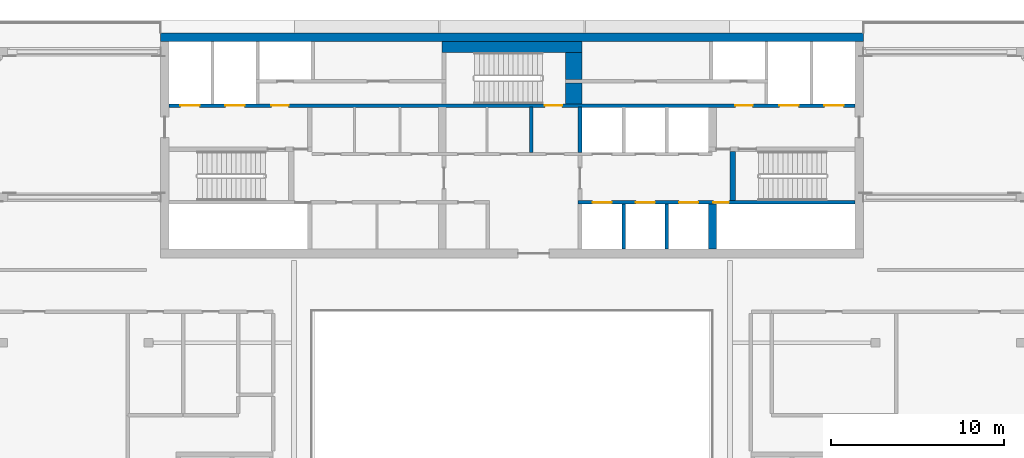
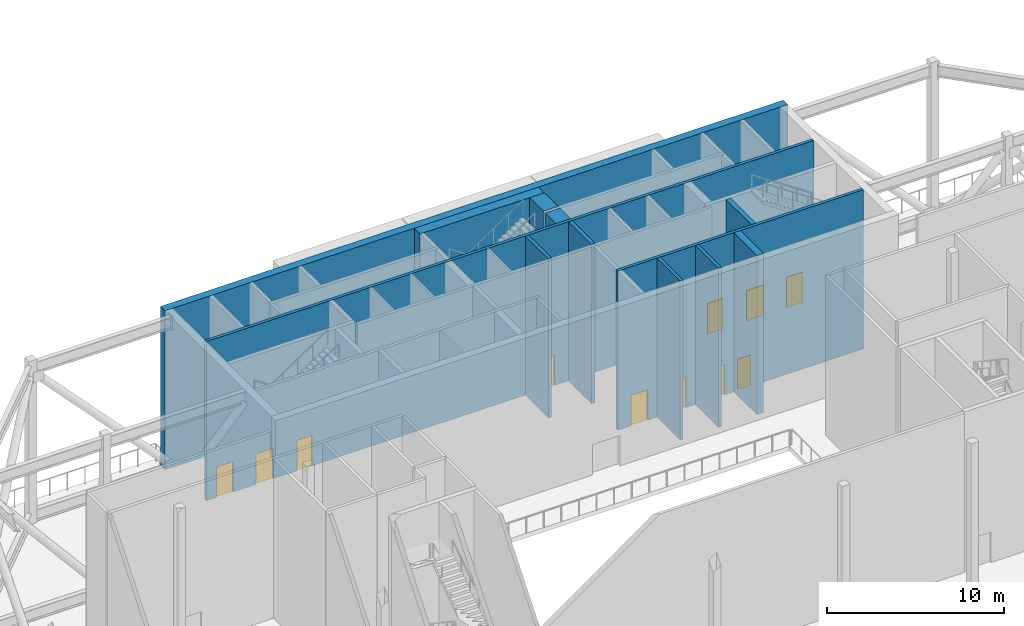
# One storey, part 6 of 20: 12 walls, 11 doors, 11 openings.
"""IFC4 building model written with IfcOpenShell, lengths in metres."""

from ifc_helpers import new_model, si_unit, direction, frame, frame_2d, origin, place, context, subcontext, project, spatial, rectangle, extrude, material, layer, layer_set, type_object, element, fill, save


model = new_model("IFC4")

# Units and contexts
model_context = context("Model", 3, precision=1e-05, world=origin(), true_north=direction((0.0, 1.0)))
body_context = subcontext(model_context, "Body", "Model", "MODEL_VIEW")
ifc_project = project(units=[si_unit("LENGTHUNIT", "METRE"), si_unit("AREAUNIT", "SQUARE_METRE"), si_unit("VOLUMEUNIT", "CUBIC_METRE"), si_unit("PLANEANGLEUNIT", "RADIAN"), si_unit("MASSUNIT", "GRAM", prefix="KILO")], contexts=[model_context])

# Site, building, storey
site_placement = place(None, origin())
site = spatial("IfcSite", under=ifc_project, at=site_placement, CompositionType="ELEMENT")
building_placement = place(site_placement, origin())
building = spatial("IfcBuilding", under=site, at=building_placement, Name="Saffron Gate Tower", CompositionType="ELEMENT")
storey_placement = place(building_placement, frame((0.0, 0.0, 252.300048828125)))
storey = spatial("IfcBuildingStorey", under=building, at=storey_placement, Name="L62", CompositionType="ELEMENT", Elevation=252.300048828125)

# Walls
ifc_material_1 = material(Name="Gypsum board partition on steel studs", Category="steel")
ifc_layer_1 = layer(ifc_material_1, 0.199951171875)
ifc_layer_set_1 = layer_set([ifc_layer_1], Name="CW10 Core partition 200")
wall_type_1 = type_object("IfcWallType", Name="CW10 Core partition 200", PredefinedType="PARTITIONING", material=ifc_layer_set_1)
wall_1_placement = place(storey_placement, frame((88.699951171875, 68.0, 0.0), z_axis=(0.0, 0.0, 1.0), x_axis=(0.0, 1.0, 0.0)))
element("IfcWall", 1, at=wall_1_placement, inside=storey, type_object=wall_type_1, Name="Wall CW10-L62-24", PredefinedType="PARTITIONING", context=body_context, shape_type="SweptSolid", body=[
    extrude(rectangle(XDim=2.60009765625, YDim=0.199951171875, at=frame_2d((1.300048828125, 0.0))), origin(), (0.0, 0.0, 1.0), 10.969970703125),
])
ifc_material_2 = material(Name="Concrete C50", Category="concrete")
ifc_layer_2 = layer(ifc_material_2, 0.5)
ifc_layer_set_2 = layer_set([ifc_layer_2], Name="CW22 RC core wall 500 C50")
wall_type_2 = type_object("IfcWallType", Name="CW22 RC core wall 500 C50", PredefinedType="SOLIDWALL", material=ifc_layer_set_2)
wall_2_placement = place(storey_placement, frame((67.300048828125, 74.64990234375, 0.0), z_axis=(0.0, 0.0, 1.0), x_axis=(1.0, 0.0, 0.0)))
element("IfcWall", 2, at=wall_2_placement, inside=storey, type_object=wall_type_2, Name="Wall CW22-L62-2", PredefinedType="SOLIDWALL", context=body_context, shape_type="SweptSolid", body=[
    extrude(rectangle(XDim=40.599853515625, YDim=0.5, at=frame_2d((20.2998046875, 0.0))), origin(), (0.0, 0.0, 1.0), 10.969970703125),
])
ifc_layer_3 = layer(ifc_material_2, 0.25)
ifc_layer_set_3 = layer_set([ifc_layer_3], Name="CW23 RC core wall 250 C50")
wall_type_3 = type_object("IfcWallType", Name="CW23 RC core wall 250 C50", PredefinedType="SOLIDWALL", material=ifc_layer_set_3)
wall_3_placement = place(storey_placement, frame((91.52490234375, 68.0, 0.0), z_axis=(0.0, 0.0, 1.0), x_axis=(0.0, 1.0, 0.0)))
element("IfcWall", 3, at=wall_3_placement, inside=storey, type_object=wall_type_3, Name="Wall CW23-L62-25", PredefinedType="SOLIDWALL", context=body_context, shape_type="SweptSolid", body=[
    extrude(rectangle(XDim=2.60009765625, YDim=0.25, at=frame_2d((1.300048828125, 0.0))), origin(), (0.0, 0.0, 1.0), 10.969970703125),
])
ifc_layer_4 = layer(ifc_material_2, 0.449951171875)
ifc_layer_set_4 = layer_set([ifc_layer_4], Name="CW24 RC core wall 450 C50")
wall_type_4 = type_object("IfcWallType", Name="CW24 RC core wall 450 C50", PredefinedType="SOLIDWALL", material=ifc_layer_set_4)
wall_4_placement = place(storey_placement, frame((99.175048828125, 62.39990234375, 0.0), z_axis=(0.0, 0.0, 1.0), x_axis=(0.0, 1.0, 0.0)))
element("IfcWall", 4, at=wall_4_placement, inside=storey, type_object=wall_type_4, Name="Wall CW24-L62-12", PredefinedType="SOLIDWALL", context=body_context, shape_type="SweptSolid", body=[
    extrude(rectangle(XDim=2.60009765625, YDim=0.449951171875, at=frame_2d((1.300048828125, 0.0))), origin(), (0.0, 0.0, 1.0), 10.969970703125),
])
ifc_layer_5 = layer(ifc_material_2, 0.199951171875)
ifc_layer_set_5 = layer_set([ifc_layer_5], Name="CW25 RC core wall 200 C50")
wall_type_5 = type_object("IfcWallType", Name="CW25 RC core wall 200 C50", PredefinedType="SOLIDWALL", material=ifc_layer_set_5)
for number, where, z_axis, x_axis, name in (
    (5, (94.050048828125, 62.39990234375, 0.0), (0.0, 0.0, 1.0), (0.0, 1.0, 0.0), "Wall CW25-L62-10"),
    (6, (96.550048828125, 62.39990234375, 0.0), (0.0, 0.0, 1.0), (0.0, 1.0, 0.0), "Wall CW25-L62-11"),
):
    element("IfcWall", number, at=place(storey_placement, frame(where, z_axis=z_axis, x_axis=x_axis)), inside=storey, type_object=wall_type_5, Name=name, PredefinedType="SOLIDWALL", context=body_context, shape_type="SweptSolid", body=[
        extrude(rectangle(XDim=2.60009765625, YDim=0.199951171875, at=frame_2d((1.300048828125, 0.0))), origin(), (0.0, 0.0, 1.0), 10.969970703125),
    ])

# Wall, openings, doors
wall_5_placement = place(storey_placement, frame((91.39990234375, 65.10009765625, 0.0), z_axis=(0.0, 0.0, 1.0), x_axis=(1.0, 0.0, 0.0)))
wall_5 = element("IfcWall", 7, at=wall_5_placement, inside=storey, type_object=wall_type_5, Name="Wall CW25-L62-14", PredefinedType="SOLIDWALL", context=body_context, shape_type="SweptSolid", body=[
    extrude(rectangle(XDim=16.0, YDim=0.199951171875, at=frame_2d((8.0, 0.0))), origin(), (0.0, 0.0, 1.0), 10.969970703125),
])
opening_1_placement = place(wall_5_placement, frame((0.85009765625, 0.0, 0.0)))
opening_1 = element("IfcOpeningElement", 8, at=opening_1_placement, cuts=wall_5, Name="Opening LD-HR1", PredefinedType="OPENING", context=body_context, shape_type="SweptSolid", body=[
    extrude(rectangle(XDim=1.10009765625, YDim=2.10009765625, at=frame_2d((0.550048828125, 1.050048828125))), frame((0.0, 0.10986328125, 0.0), z_axis=(0.0, -1.0, 0.0), x_axis=(1.0, 0.0, 0.0)), (0.0, 0.0, 1.0), 0.219970703125),
])
opening_2_placement = place(wall_5_placement, frame((3.35009765625, 0.0, 0.0)))
opening_2 = element("IfcOpeningElement", 9, at=opening_2_placement, cuts=wall_5, Name="Opening LD-HR2", PredefinedType="OPENING", context=body_context, shape_type="SweptSolid", body=[
    extrude(rectangle(XDim=1.10009765625, YDim=2.10009765625, at=frame_2d((0.550048828125, 1.050048828125))), frame((0.0, 0.10986328125, 0.0), z_axis=(0.0, -1.0, 0.0), x_axis=(1.0, 0.0, 0.0)), (0.0, 0.0, 1.0), 0.219970703125),
])
opening_3_placement = place(wall_5_placement, frame((5.85009765625, 0.0, 0.0)))
opening_3 = element("IfcOpeningElement", 10, at=opening_3_placement, cuts=wall_5, Name="Opening LD-HR3", PredefinedType="OPENING", context=body_context, shape_type="SweptSolid", body=[
    extrude(rectangle(XDim=1.10009765625, YDim=2.10009765625, at=frame_2d((0.550048828125, 1.050048828125))), frame((0.0, 0.10986328125, 0.0), z_axis=(0.0, -1.0, 0.0), x_axis=(1.0, 0.0, 0.0)), (0.0, 0.0, 1.0), 0.219970703125),
])
opening_4_placement = place(wall_5_placement, frame((7.830078125, 0.0, 0.0)))
opening_4 = element("IfcOpeningElement", 11, at=opening_4_placement, cuts=wall_5, Name="Opening CR-48", PredefinedType="OPENING", context=body_context, shape_type="SweptSolid", body=[
    extrude(rectangle(XDim=0.89990234375, YDim=2.10009765625, at=frame_2d((0.449951171875, 1.050048828125))), frame((0.0, 0.10986328125, 0.0), z_axis=(0.0, -1.0, 0.0), x_axis=(1.0, 0.0, 0.0)), (0.0, 0.0, 1.0), 0.219970703125),
])
ifc_material_3 = material(Name="Steel fire door set", Category="steel")
door_type_1 = type_object("IfcDoorType", Name="CD2 Riser door 900x2100 EI 60", OperationType="NOTDEFINED", PredefinedType="DOOR", material=ifc_material_3)
door_1_placement = place(opening_4_placement, origin())
door_1 = element("IfcDoor", 12, at=door_1_placement, inside=storey, type_object=door_type_1, Name="DOOR CR-48", OperationType="SINGLE_SWING_RIGHT", OverallHeight=2.10009765625, OverallWidth=0.89990234375, PredefinedType="DOOR", context=body_context, shape_type="SweptSolid", body=[
    extrude(rectangle(XDim=0.89990234375, YDim=2.10009765625, at=frame_2d((0.449951171875, 1.050048828125))), frame((0.0, 0.02490234375, 0.0), z_axis=(0.0, -1.0, 0.0), x_axis=(1.0, 0.0, 0.0)), (0.0, 0.0, 1.0), 0.050048828125),
])
fill(opening_4, door_1)
ifc_material_4 = material(Name="Stainless steel landing door", Category="steel")
door_type_2 = type_object("IfcDoorType", Name="LD Lift landing door 1100x2100 EI 120", OperationType="SLIDING_TO_LEFT", PredefinedType="DOOR", material=ifc_material_4)
door_2_placement = place(opening_1_placement, origin())
door_2 = element("IfcDoor", 13, at=door_2_placement, inside=storey, type_object=door_type_2, Name="LANDING DOOR LD-HR1", OperationType="SLIDING_TO_LEFT", OverallHeight=2.10009765625, OverallWidth=1.10009765625, PredefinedType="DOOR", context=body_context, shape_type="SweptSolid", body=[
    extrude(rectangle(XDim=1.10009765625, YDim=2.10009765625, at=frame_2d((0.550048828125, 1.050048828125))), frame((0.0, 0.02490234375, 0.0), z_axis=(0.0, -1.0, 0.0), x_axis=(1.0, 0.0, 0.0)), (0.0, 0.0, 1.0), 0.050048828125),
])
fill(opening_1, door_2)
door_3_placement = place(opening_2_placement, origin())
door_3 = element("IfcDoor", 14, at=door_3_placement, inside=storey, type_object=door_type_2, Name="LANDING DOOR LD-HR2", OperationType="SLIDING_TO_LEFT", OverallHeight=2.10009765625, OverallWidth=1.10009765625, PredefinedType="DOOR", context=body_context, shape_type="SweptSolid", body=[
    extrude(rectangle(XDim=1.10009765625, YDim=2.10009765625, at=frame_2d((0.550048828125, 1.050048828125))), frame((0.0, 0.02490234375, 0.0), z_axis=(0.0, -1.0, 0.0), x_axis=(1.0, 0.0, 0.0)), (0.0, 0.0, 1.0), 0.050048828125),
])
fill(opening_2, door_3)
door_4_placement = place(opening_3_placement, origin())
door_4 = element("IfcDoor", 15, at=door_4_placement, inside=storey, type_object=door_type_2, Name="LANDING DOOR LD-HR3", OperationType="SLIDING_TO_LEFT", OverallHeight=2.10009765625, OverallWidth=1.10009765625, PredefinedType="DOOR", context=body_context, shape_type="SweptSolid", body=[
    extrude(rectangle(XDim=1.10009765625, YDim=2.10009765625, at=frame_2d((0.550048828125, 1.050048828125))), frame((0.0, 0.02490234375, 0.0), z_axis=(0.0, -1.0, 0.0), x_axis=(1.0, 0.0, 0.0)), (0.0, 0.0, 1.0), 0.050048828125),
])
fill(opening_3, door_4)

wall_6_placement = place(storey_placement, frame((67.800048828125, 70.699951171875, 0.0), z_axis=(0.0, 0.0, 1.0), x_axis=(1.0, 0.0, 0.0)))
wall_6 = element("IfcWall", 16, at=wall_6_placement, inside=storey, type_object=wall_type_5, Name="Wall CW25-L62-33", PredefinedType="SOLIDWALL", context=body_context, shape_type="SweptSolid", body=[
    extrude(rectangle(XDim=39.599853515625, YDim=0.199951171875, at=frame_2d((19.7998046875, 0.0))), origin(), (0.0, 0.0, 1.0), 10.969970703125),
])
opening_5_placement = place(wall_6_placement, frame((0.64990234375, 0.0, 0.0)))
opening_5 = element("IfcOpeningElement", 17, at=opening_5_placement, cuts=wall_6, Name="Opening LD-FF1", PredefinedType="OPENING", context=body_context, shape_type="SweptSolid", body=[
    extrude(rectangle(XDim=1.10009765625, YDim=2.10009765625, at=frame_2d((0.550048828125, 1.050048828125))), frame((0.0, 0.10986328125, 0.0), z_axis=(0.0, -1.0, 0.0), x_axis=(1.0, 0.0, 0.0)), (0.0, 0.0, 1.0), 0.219970703125),
])
opening_6_placement = place(wall_6_placement, frame((3.25, 0.0, 0.0)))
opening_6 = element("IfcOpeningElement", 18, at=opening_6_placement, cuts=wall_6, Name="Opening LD-SV1", PredefinedType="OPENING", context=body_context, shape_type="SweptSolid", body=[
    extrude(rectangle(XDim=1.10009765625, YDim=2.10009765625, at=frame_2d((0.550048828125, 1.050048828125))), frame((0.0, 0.10986328125, 0.0), z_axis=(0.0, -1.0, 0.0), x_axis=(1.0, 0.0, 0.0)), (0.0, 0.0, 1.0), 0.219970703125),
])
opening_7_placement = place(wall_6_placement, frame((5.89990234375, 0.0, 0.0)))
opening_7 = element("IfcOpeningElement", 19, at=opening_7_placement, cuts=wall_6, Name="Opening CR-03", PredefinedType="OPENING", context=body_context, shape_type="SweptSolid", body=[
    extrude(rectangle(XDim=1.0, YDim=2.10009765625, at=frame_2d((0.5, 1.050048828125))), frame((0.0, 0.10986328125, 0.0), z_axis=(0.0, -1.0, 0.0), x_axis=(1.0, 0.0, 0.0)), (0.0, 0.0, 1.0), 0.219970703125),
])
opening_8_placement = place(wall_6_placement, frame((21.699951171875, 0.0, 0.0)))
opening_8 = element("IfcOpeningElement", 20, at=opening_8_placement, cuts=wall_6, Name="Opening CR-17", PredefinedType="OPENING", context=body_context, shape_type="SweptSolid", body=[
    extrude(rectangle(XDim=1.0, YDim=2.10009765625, at=frame_2d((0.5, 1.050048828125))), frame((0.0, 0.10986328125, 0.0), z_axis=(0.0, -1.0, 0.0), x_axis=(1.0, 0.0, 0.0)), (0.0, 0.0, 1.0), 0.219970703125),
])
opening_9_placement = place(wall_6_placement, frame((32.699951171875, 0.0, 0.0)))
opening_9 = element("IfcOpeningElement", 21, at=opening_9_placement, cuts=wall_6, Name="Opening CR-04", PredefinedType="OPENING", context=body_context, shape_type="SweptSolid", body=[
    extrude(rectangle(XDim=1.0, YDim=2.10009765625, at=frame_2d((0.5, 1.050048828125))), frame((0.0, 0.10986328125, 0.0), z_axis=(0.0, -1.0, 0.0), x_axis=(1.0, 0.0, 0.0)), (0.0, 0.0, 1.0), 0.219970703125),
])
opening_10_placement = place(wall_6_placement, frame((35.25, 0.0, 0.0)))
opening_10 = element("IfcOpeningElement", 22, at=opening_10_placement, cuts=wall_6, Name="Opening LD-SV2", PredefinedType="OPENING", context=body_context, shape_type="SweptSolid", body=[
    extrude(rectangle(XDim=1.10009765625, YDim=2.10009765625, at=frame_2d((0.550048828125, 1.050048828125))), frame((0.0, 0.10986328125, 0.0), z_axis=(0.0, -1.0, 0.0), x_axis=(1.0, 0.0, 0.0)), (0.0, 0.0, 1.0), 0.219970703125),
])
opening_11_placement = place(wall_6_placement, frame((37.85009765625, 0.0, 0.0)))
opening_11 = element("IfcOpeningElement", 23, at=opening_11_placement, cuts=wall_6, Name="Opening LD-FF2", PredefinedType="OPENING", context=body_context, shape_type="SweptSolid", body=[
    extrude(rectangle(XDim=1.10009765625, YDim=2.10009765625, at=frame_2d((0.550048828125, 1.050048828125))), frame((0.0, 0.10986328125, 0.0), z_axis=(0.0, -1.0, 0.0), x_axis=(1.0, 0.0, 0.0)), (0.0, 0.0, 1.0), 0.219970703125),
])
door_type_3 = type_object("IfcDoorType", Name="CD4 Lobby door 1000x2100 EI 120", OperationType="NOTDEFINED", PredefinedType="DOOR", material=ifc_material_3)
door_5_placement = place(opening_7_placement, origin())
door_5 = element("IfcDoor", 24, at=door_5_placement, inside=storey, type_object=door_type_3, Name="DOOR CR-03", OperationType="SINGLE_SWING_LEFT", OverallHeight=2.10009765625, OverallWidth=1.0, PredefinedType="DOOR", context=body_context, shape_type="SweptSolid", body=[
    extrude(rectangle(XDim=1.0, YDim=2.10009765625, at=frame_2d((0.5, 1.050048828125))), frame((0.0, 0.02490234375, 0.0), z_axis=(0.0, -1.0, 0.0), x_axis=(1.0, 0.0, 0.0)), (0.0, 0.0, 1.0), 0.050048828125),
])
fill(opening_7, door_5)
door_6_placement = place(opening_9_placement, origin())
door_6 = element("IfcDoor", 25, at=door_6_placement, inside=storey, type_object=door_type_3, Name="DOOR CR-04", OperationType="SINGLE_SWING_RIGHT", OverallHeight=2.10009765625, OverallWidth=1.0, PredefinedType="DOOR", context=body_context, shape_type="SweptSolid", body=[
    extrude(rectangle(XDim=1.0, YDim=2.10009765625, at=frame_2d((0.5, 1.050048828125))), frame((0.0, 0.02490234375, 0.0), z_axis=(0.0, -1.0, 0.0), x_axis=(1.0, 0.0, 0.0)), (0.0, 0.0, 1.0), 0.050048828125),
])
fill(opening_9, door_6)
door_type_4 = type_object("IfcDoorType", Name="CD5 Stair door 1000x2100 EI 120", OperationType="NOTDEFINED", PredefinedType="DOOR", material=ifc_material_3)
door_7_placement = place(opening_8_placement, origin())
door_7 = element("IfcDoor", 26, at=door_7_placement, inside=storey, type_object=door_type_4, Name="DOOR CR-17", OperationType="SINGLE_SWING_RIGHT", OverallHeight=2.10009765625, OverallWidth=1.0, PredefinedType="DOOR", context=body_context, shape_type="SweptSolid", body=[
    extrude(rectangle(XDim=1.0, YDim=2.10009765625, at=frame_2d((0.5, 1.050048828125))), frame((0.0, 0.02490234375, 0.0), z_axis=(0.0, -1.0, 0.0), x_axis=(1.0, 0.0, 0.0)), (0.0, 0.0, 1.0), 0.050048828125),
])
fill(opening_8, door_7)
door_8_placement = place(opening_5_placement, origin())
door_8 = element("IfcDoor", 27, at=door_8_placement, inside=storey, type_object=door_type_2, Name="LANDING DOOR LD-FF1", OperationType="SLIDING_TO_RIGHT", OverallHeight=2.10009765625, OverallWidth=1.10009765625, PredefinedType="DOOR", context=body_context, shape_type="SweptSolid", body=[
    extrude(rectangle(XDim=1.10009765625, YDim=2.10009765625, at=frame_2d((0.550048828125, 1.050048828125))), frame((0.0, 0.02490234375, 0.0), z_axis=(0.0, -1.0, 0.0), x_axis=(1.0, 0.0, 0.0)), (0.0, 0.0, 1.0), 0.050048828125),
])
fill(opening_5, door_8)
door_9_placement = place(opening_6_placement, origin())
door_9 = element("IfcDoor", 28, at=door_9_placement, inside=storey, type_object=door_type_2, Name="LANDING DOOR LD-SV1", OperationType="SLIDING_TO_RIGHT", OverallHeight=2.10009765625, OverallWidth=1.10009765625, PredefinedType="DOOR", context=body_context, shape_type="SweptSolid", body=[
    extrude(rectangle(XDim=1.10009765625, YDim=2.10009765625, at=frame_2d((0.550048828125, 1.050048828125))), frame((0.0, 0.02490234375, 0.0), z_axis=(0.0, -1.0, 0.0), x_axis=(1.0, 0.0, 0.0)), (0.0, 0.0, 1.0), 0.050048828125),
])
fill(opening_6, door_9)
door_10_placement = place(opening_10_placement, origin())
door_10 = element("IfcDoor", 29, at=door_10_placement, inside=storey, type_object=door_type_2, Name="LANDING DOOR LD-SV2", OperationType="SLIDING_TO_RIGHT", OverallHeight=2.10009765625, OverallWidth=1.10009765625, PredefinedType="DOOR", context=body_context, shape_type="SweptSolid", body=[
    extrude(rectangle(XDim=1.10009765625, YDim=2.10009765625, at=frame_2d((0.550048828125, 1.050048828125))), frame((0.0, 0.02490234375, 0.0), z_axis=(0.0, -1.0, 0.0), x_axis=(1.0, 0.0, 0.0)), (0.0, 0.0, 1.0), 0.050048828125),
])
fill(opening_10, door_10)
door_11_placement = place(opening_11_placement, origin())
door_11 = element("IfcDoor", 30, at=door_11_placement, inside=storey, type_object=door_type_2, Name="LANDING DOOR LD-FF2", OperationType="SLIDING_TO_RIGHT", OverallHeight=2.10009765625, OverallWidth=1.10009765625, PredefinedType="DOOR", context=body_context, shape_type="SweptSolid", body=[
    extrude(rectangle(XDim=1.10009765625, YDim=2.10009765625, at=frame_2d((0.550048828125, 1.050048828125))), frame((0.0, 0.02490234375, 0.0), z_axis=(0.0, -1.0, 0.0), x_axis=(1.0, 0.0, 0.0)), (0.0, 0.0, 1.0), 0.050048828125),
])
fill(opening_11, door_11)

# Walls
ifc_layer_6 = layer(ifc_material_2, 0.300048828125)
ifc_layer_set_6 = layer_set([ifc_layer_6], Name="CW26 RC core wall 300 C50")
wall_type_6 = type_object("IfcWallType", Name="CW26 RC core wall 300 C50", PredefinedType="SOLIDWALL", material=ifc_layer_set_6)
wall_7_placement = place(storey_placement, frame((100.35009765625, 65.199951171875, 0.0), z_axis=(0.0, 0.0, 1.0), x_axis=(0.0, 1.0, 0.0)))
element("IfcWall", 31, at=wall_7_placement, inside=storey, type_object=wall_type_6, Name="Wall CW26-L62-18", PredefinedType="SOLIDWALL", context=body_context, shape_type="SweptSolid", body=[
    extrude(rectangle(XDim=2.85009765625, YDim=0.300048828125, at=frame_2d((1.425048828125, 0.0))), origin(), (0.0, 0.0, 1.0), 10.969970703125),
])
ifc_layer_7 = layer(ifc_material_2, 0.949951171875)
ifc_layer_set_7 = layer_set([ifc_layer_7], Name="CW28 RC core wall 950 C50")
wall_type_7 = type_object("IfcWallType", Name="CW28 RC core wall 950 C50", PredefinedType="SOLIDWALL", material=ifc_layer_set_7)
wall_8_placement = place(storey_placement, frame((91.175048828125, 70.800048828125, 0.0), z_axis=(0.0, 0.0, 1.0), x_axis=(0.0, 1.0, 0.0)))
element("IfcWall", 32, at=wall_8_placement, inside=storey, type_object=wall_type_7, Name="Wall CW28-L62-37", PredefinedType="SOLIDWALL", context=body_context, shape_type="SweptSolid", body=[
    extrude(rectangle(XDim=1.199951171875, YDim=0.949951171875, at=frame_2d((0.60009765625, 0.0))), origin(), (0.0, 0.0, 1.0), 10.969970703125),
])
wall_9_placement = place(storey_placement, frame((91.175048828125, 72.199951171875, 0.0), z_axis=(0.0, 0.0, 1.0), x_axis=(0.0, 1.0, 0.0)))
element("IfcWall", 33, at=wall_9_placement, inside=storey, type_object=wall_type_7, Name="Wall CW28-L62-45", PredefinedType="SOLIDWALL", context=body_context, shape_type="SweptSolid", body=[
    extrude(rectangle(XDim=1.550048828125, YDim=0.949951171875, at=frame_2d((0.77490234375, 0.0))), origin(), (0.0, 0.0, 1.0), 10.969970703125),
])
ifc_layer_8 = layer(ifc_material_2, 0.64990234375)
ifc_layer_set_8 = layer_set([ifc_layer_8], Name="CW29 RC core wall 650 C50")
wall_type_8 = type_object("IfcWallType", Name="CW29 RC core wall 650 C50", PredefinedType="SOLIDWALL", material=ifc_layer_set_8)
wall_10_placement = place(storey_placement, frame((83.550048828125, 74.074951171875, 0.0), z_axis=(0.0, 0.0, 1.0), x_axis=(1.0, 0.0, 0.0)))
element("IfcWall", 34, at=wall_10_placement, inside=storey, type_object=wall_type_8, Name="Wall CW29-L62-48", PredefinedType="SOLIDWALL", context=body_context, shape_type="SweptSolid", body=[
    extrude(rectangle(XDim=8.099853515625, YDim=0.64990234375, at=frame_2d((4.0498046875, 0.0))), origin(), (0.0, 0.0, 1.0), 10.969970703125),
])

save(model, "model.ifc")
